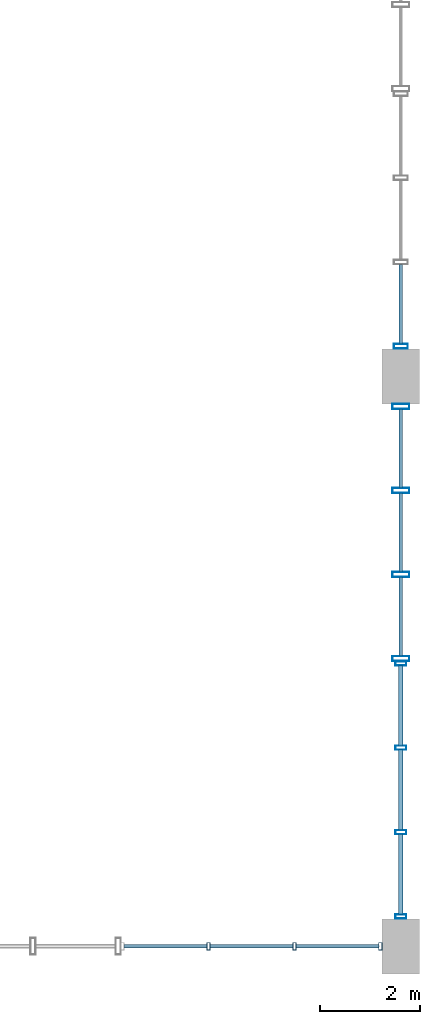
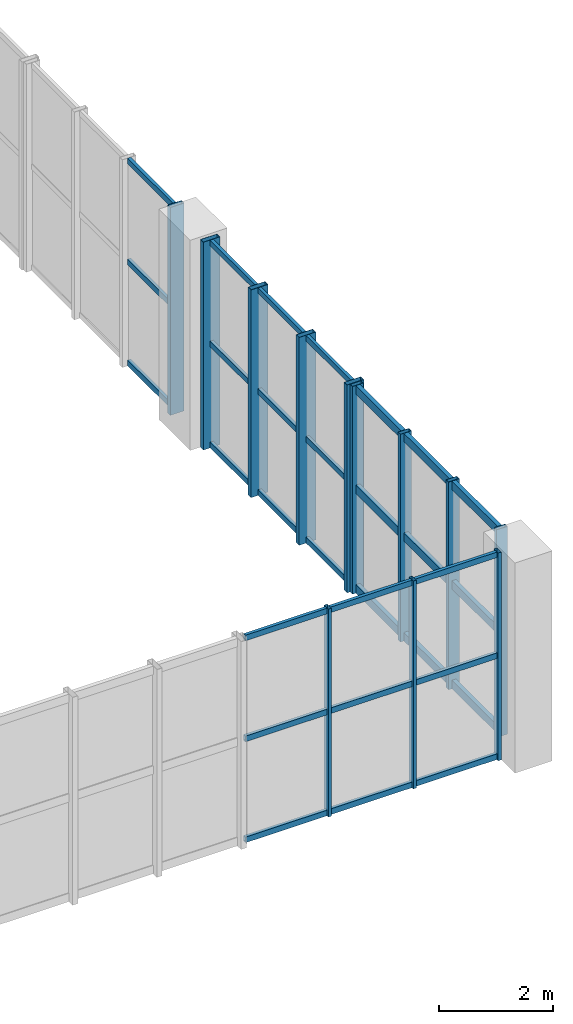
# One storey, part 43 of 80: 42 members, 4 elements without a shape of their own.
"""IFC4 building model written with IfcOpenShell, lengths in metres."""

from ifc_helpers import new_model, si_unit, direction, frame, origin, origin_2d, place, context, subcontext, project, spatial, hollow_rectangle, extrude, material, layer, layer_set, material_profile, profile_set, type_object, element, aggregate, save


model = new_model("IFC4")

# Units and contexts
model_context = context("Model", 3, precision=1e-05, world=origin(), true_north=direction((0.0, 1.0)))
body_context = subcontext(model_context, "Body", "Model", "MODEL_VIEW")
ifc_project = project(units=[si_unit("LENGTHUNIT", "METRE"), si_unit("AREAUNIT", "SQUARE_METRE"), si_unit("VOLUMEUNIT", "CUBIC_METRE"), si_unit("PLANEANGLEUNIT", "RADIAN"), si_unit("MASSUNIT", "GRAM", prefix="KILO"), si_unit("POWERUNIT", "WATT"), si_unit("THERMODYNAMICTEMPERATUREUNIT", "KELVIN")], contexts=[model_context])

# Site, building, storey
site_placement = place(None, origin())
site = spatial("IfcSite", under=ifc_project, at=site_placement, CompositionType="ELEMENT")
building_placement = place(site_placement, origin())
building = spatial("IfcBuilding", under=site, at=building_placement, Name="Kelmbourne Parkland Aquatics Centre", CompositionType="ELEMENT")
storey_placement = place(building_placement, frame((0.0, 0.0, 10.199951171875)))
storey = spatial("IfcBuildingStorey", under=building, at=storey_placement, Name="L02", CompositionType="ELEMENT", Elevation=10.199951171875)

# Curtain wall, members
ifc_material = material(Name="Thermally broken anodised aluminium framing", Category="aluminium")
ifc_layer_1 = layer(ifc_material, 0.179931640625)
ifc_layer_set_1 = layer_set([ifc_layer_1], Name="Thermally broken anodised aluminium framing")
curtain_wall_type_1 = type_object("IfcCurtainWallType", Name="CW-24", PredefinedType="NOTDEFINED", material=ifc_layer_set_1)
curtain_wall_1_placement = place(storey_placement, origin())
curtain_wall_1 = element("IfcCurtainWall", 1, at=curtain_wall_1_placement, inside=storey, type_object=curtain_wall_type_1, Name="Wave-hall clerestory curtain wall CW-L02-120", PredefinedType="NOTDEFINED")
ifc_material_profile_1 = material_profile(ifc_material, hollow_rectangle(XDim=0.06494140625, YDim=0.14990234375, WallThickness=0.00390625, at=origin_2d()), Name="CW-M 65x150")
ifc_profile_set_1 = profile_set([ifc_material_profile_1], Name="Thermally broken anodised aluminium framing")
member_type_1 = type_object("IfcMemberType", Name="MB-MUL-1", PredefinedType="MULLION", material=ifc_profile_set_1)
member_1_placement = place(storey_placement, frame((171.351806640625, 0.800048828125, 0.0), z_axis=(0.0, 0.0, 1.0), x_axis=(1.0, 0.0, 0.0)))
member_1 = element("IfcMember", 2, at=member_1_placement, type_object=member_type_1, Name="CW-L02-120 mullion 1", PredefinedType="MULLION", context=body_context, shape_type="SweptSolid", body=[
    extrude(hollow_rectangle(XDim=0.06494140625, YDim=0.14990234375, WallThickness=0.00390625, at=origin_2d()), origin(), (0.0, 0.0, 1.0), 4.449951171875),
])
member_2_placement = place(storey_placement, frame((173.0712890625, 0.800048828125, 0.0), z_axis=(0.0, 0.0, 1.0), x_axis=(1.0, 0.0, 0.0)))
member_2 = element("IfcMember", 3, at=member_2_placement, type_object=member_type_1, Name="CW-L02-120 mullion 2", PredefinedType="MULLION", context=body_context, shape_type="SweptSolid", body=[
    extrude(hollow_rectangle(XDim=0.06494140625, YDim=0.14990234375, WallThickness=0.00390625, at=origin_2d()), origin(), (0.0, 0.0, 1.0), 4.449951171875),
])
member_3_placement = place(storey_placement, frame((174.79052734375, 0.800048828125, 0.0), z_axis=(0.0, 0.0, 1.0), x_axis=(1.0, 0.0, 0.0)))
member_3 = element("IfcMember", 4, at=member_3_placement, type_object=member_type_1, Name="CW-L02-120 mullion 3", PredefinedType="MULLION", context=body_context, shape_type="SweptSolid", body=[
    extrude(hollow_rectangle(XDim=0.06494140625, YDim=0.14990234375, WallThickness=0.00390625, at=origin_2d()), origin(), (0.0, 0.0, 1.0), 4.449951171875),
])

ifc_layer_2 = layer(ifc_material, 0.179931640625)
ifc_layer_set_2 = layer_set([ifc_layer_2], Name="Thermally broken anodised aluminium framing")
curtain_wall_type_2 = type_object("IfcCurtainWallType", Name="CW-02", PredefinedType="NOTDEFINED", material=ifc_layer_set_2)
curtain_wall_2_placement = place(storey_placement, origin())
curtain_wall_2 = element("IfcCurtainWall", 5, at=curtain_wall_2_placement, inside=storey, type_object=curtain_wall_type_2, Name="Wave-hall clerestory curtain wall CW-L02-002", PredefinedType="NOTDEFINED")
ifc_material_profile_2 = material_profile(ifc_material, hollow_rectangle(XDim=0.0849609375, YDim=0.219970703125, WallThickness=0.0048828125, at=origin_2d()), Name="CW-M 85x220")
ifc_profile_set_2 = profile_set([ifc_material_profile_2], Name="Thermally broken anodised aluminium framing")
member_type_2 = type_object("IfcMemberType", Name="MB-MUL-3", PredefinedType="MULLION", material=ifc_profile_set_2)
member_4_placement = place(storey_placement, frame((175.199951171875, 1.39453125, 0.0), z_axis=(0.0, 0.0, 1.0), x_axis=(0.0, 1.0, 0.0)))
member_4 = element("IfcMember", 6, at=member_4_placement, type_object=member_type_2, Name="CW-L02-002 mullion 0", PredefinedType="MULLION", context=body_context, shape_type="SweptSolid", body=[
    extrude(hollow_rectangle(XDim=0.0849609375, YDim=0.219970703125, WallThickness=0.0048828125, at=origin_2d()), origin(), (0.0, 0.0, 1.0), 4.449951171875),
])
member_5_placement = place(storey_placement, frame((175.199951171875, 3.082275390625, 0.0), z_axis=(0.0, 0.0, 1.0), x_axis=(0.0, 1.0, 0.0)))
member_5 = element("IfcMember", 7, at=member_5_placement, type_object=member_type_2, Name="CW-L02-002 mullion 1", PredefinedType="MULLION", context=body_context, shape_type="SweptSolid", body=[
    extrude(hollow_rectangle(XDim=0.0849609375, YDim=0.219970703125, WallThickness=0.0048828125, at=origin_2d()), origin(), (0.0, 0.0, 1.0), 4.449951171875),
])
member_6_placement = place(storey_placement, frame((175.199951171875, 4.769775390625, 0.0), z_axis=(0.0, 0.0, 1.0), x_axis=(0.0, 1.0, 0.0)))
member_6 = element("IfcMember", 8, at=member_6_placement, type_object=member_type_2, Name="CW-L02-002 mullion 2", PredefinedType="MULLION", context=body_context, shape_type="SweptSolid", body=[
    extrude(hollow_rectangle(XDim=0.0849609375, YDim=0.219970703125, WallThickness=0.0048828125, at=origin_2d()), origin(), (0.0, 0.0, 1.0), 4.449951171875),
])
member_7_placement = place(storey_placement, frame((175.199951171875, 6.45751953125, 0.0), z_axis=(0.0, 0.0, 1.0), x_axis=(0.0, 1.0, 0.0)))
member_7 = element("IfcMember", 9, at=member_7_placement, type_object=member_type_2, Name="CW-L02-002 mullion 3", PredefinedType="MULLION", context=body_context, shape_type="SweptSolid", body=[
    extrude(hollow_rectangle(XDim=0.0849609375, YDim=0.219970703125, WallThickness=0.0048828125, at=origin_2d()), origin(), (0.0, 0.0, 1.0), 4.449951171875),
])

# Curtain wall, member
ifc_layer_3 = layer(ifc_material, 0.179931640625)
ifc_layer_set_3 = layer_set([ifc_layer_3], Name="Thermally broken anodised aluminium framing")
curtain_wall_type_3 = type_object("IfcCurtainWallType", Name="CW-18", PredefinedType="NOTDEFINED", material=ifc_layer_set_3)
curtain_wall_3_placement = place(storey_placement, origin())
curtain_wall_3 = element("IfcCurtainWall", 10, at=curtain_wall_3_placement, inside=storey, type_object=curtain_wall_type_3, Name="Wave-hall clerestory curtain wall CW-L02-018", PredefinedType="NOTDEFINED")
ifc_material_profile_3 = material_profile(ifc_material, hollow_rectangle(XDim=0.094970703125, YDim=0.280029296875, WallThickness=0.005615234375, at=origin_2d()), Name="CW-M 95x280")
ifc_profile_set_3 = profile_set([ifc_material_profile_3], Name="Thermally broken anodised aluminium framing")
member_type_3 = type_object("IfcMemberType", Name="MB-MUL-4", PredefinedType="MULLION", material=ifc_profile_set_3)
member_8_placement = place(storey_placement, frame((175.199951171875, 12.799560546875, 0.0), z_axis=(0.0, 0.0, 1.0), x_axis=(0.0, 1.0, 0.0)))
member_8 = element("IfcMember", 11, at=member_8_placement, type_object=member_type_3, Name="CW-L02-018 mullion 0", PredefinedType="MULLION", context=body_context, shape_type="SweptSolid", body=[
    extrude(hollow_rectangle(XDim=0.094970703125, YDim=0.280029296875, WallThickness=0.005615234375, at=origin_2d()), origin(), (0.0, 0.0, 1.0), 4.449951171875),
])

# Curtain wall, members
ifc_layer_4 = layer(ifc_material, 0.179931640625)
ifc_layer_set_4 = layer_set([ifc_layer_4], Name="Thermally broken anodised aluminium framing")
curtain_wall_type_4 = type_object("IfcCurtainWallType", Name="CW-09", PredefinedType="NOTDEFINED", material=ifc_layer_set_4)
curtain_wall_4_placement = place(storey_placement, origin())
curtain_wall_4 = element("IfcCurtainWall", 12, at=curtain_wall_4_placement, inside=storey, type_object=curtain_wall_type_4, Name="Wave-hall clerestory curtain wall CW-L02-009", PredefinedType="NOTDEFINED")
ifc_material_profile_4 = material_profile(ifc_material, hollow_rectangle(XDim=0.10498046875, YDim=0.340087890625, WallThickness=0.006103515625, at=origin_2d()), Name="CW-M 105x340")
ifc_profile_set_4 = profile_set([ifc_material_profile_4], Name="Thermally broken anodised aluminium framing")
member_type_4 = type_object("IfcMemberType", Name="MB-MUL-5", PredefinedType="MULLION", material=ifc_profile_set_4)
member_9_placement = place(storey_placement, frame((175.199951171875, 6.552490234375, 0.0), z_axis=(0.0, 0.0, 1.0), x_axis=(0.0, 1.0, 0.0)))
member_9 = element("IfcMember", 13, at=member_9_placement, type_object=member_type_4, Name="CW-L02-009 mullion 0", PredefinedType="MULLION", context=body_context, shape_type="SweptSolid", body=[
    extrude(hollow_rectangle(XDim=0.10498046875, YDim=0.340087890625, WallThickness=0.006103515625, at=origin_2d()), origin(), (0.0, 0.0, 1.0), 4.449951171875),
])
member_10_placement = place(storey_placement, frame((175.199951171875, 8.2333984375, 0.0), z_axis=(0.0, 0.0, 1.0), x_axis=(0.0, 1.0, 0.0)))
member_10 = element("IfcMember", 14, at=member_10_placement, type_object=member_type_4, Name="CW-L02-009 mullion 1", PredefinedType="MULLION", context=body_context, shape_type="SweptSolid", body=[
    extrude(hollow_rectangle(XDim=0.10498046875, YDim=0.340087890625, WallThickness=0.006103515625, at=origin_2d()), origin(), (0.0, 0.0, 1.0), 4.449951171875),
])
member_11_placement = place(storey_placement, frame((175.199951171875, 9.91455078125, 0.0), z_axis=(0.0, 0.0, 1.0), x_axis=(0.0, 1.0, 0.0)))
member_11 = element("IfcMember", 15, at=member_11_placement, type_object=member_type_4, Name="CW-L02-009 mullion 2", PredefinedType="MULLION", context=body_context, shape_type="SweptSolid", body=[
    extrude(hollow_rectangle(XDim=0.10498046875, YDim=0.340087890625, WallThickness=0.006103515625, at=origin_2d()), origin(), (0.0, 0.0, 1.0), 4.449951171875),
])
member_12_placement = place(storey_placement, frame((175.199951171875, 11.595458984375, 0.0), z_axis=(0.0, 0.0, 1.0), x_axis=(0.0, 1.0, 0.0)))
member_12 = element("IfcMember", 16, at=member_12_placement, type_object=member_type_4, Name="CW-L02-009 mullion 3", PredefinedType="MULLION", context=body_context, shape_type="SweptSolid", body=[
    extrude(hollow_rectangle(XDim=0.10498046875, YDim=0.340087890625, WallThickness=0.006103515625, at=origin_2d()), origin(), (0.0, 0.0, 1.0), 4.449951171875),
])
ifc_material_profile_5 = material_profile(ifc_material, hollow_rectangle(XDim=0.06494140625, YDim=0.1201171875, WallThickness=0.00341796875, at=origin_2d()), Name="CW-T 65x120")
ifc_profile_set_5 = profile_set([ifc_material_profile_5], Name="Thermally broken anodised aluminium framing")
member_type_5 = type_object("IfcMemberType", Name="MB-TRN-1", PredefinedType="USERDEFINED", material=ifc_profile_set_5)
member_13_placement = place(storey_placement, frame((175.199951171875, 6.60107421875, 0.06298828125), z_axis=(0.0, 1.0, 0.0), x_axis=(-1.0, 0.0, 0.0)))
member_13 = element("IfcMember", 17, at=member_13_placement, type_object=member_type_5, Name="CW-L02-009 transom 0-0", ObjectType="TRANSOM", PredefinedType="USERDEFINED", context=body_context, shape_type="SweptSolid", body=[
    extrude(hollow_rectangle(XDim=0.06494140625, YDim=0.1201171875, WallThickness=0.00341796875, at=origin_2d()), origin(), (0.0, 0.0, 1.0), 1.583984375),
])
member_14_placement = place(storey_placement, frame((175.199951171875, 8.281982421875, 0.06298828125), z_axis=(0.0, 1.0, 0.0), x_axis=(-1.0, 0.0, 0.0)))
member_14 = element("IfcMember", 18, at=member_14_placement, type_object=member_type_5, Name="CW-L02-009 transom 0-1", ObjectType="TRANSOM", PredefinedType="USERDEFINED", context=body_context, shape_type="SweptSolid", body=[
    extrude(hollow_rectangle(XDim=0.06494140625, YDim=0.1201171875, WallThickness=0.00341796875, at=origin_2d()), origin(), (0.0, 0.0, 1.0), 1.583984375),
])
member_15_placement = place(storey_placement, frame((175.199951171875, 9.962890625, 0.06298828125), z_axis=(0.0, 1.0, 0.0), x_axis=(-1.0, 0.0, 0.0)))
member_15 = element("IfcMember", 19, at=member_15_placement, type_object=member_type_5, Name="CW-L02-009 transom 0-2", ObjectType="TRANSOM", PredefinedType="USERDEFINED", context=body_context, shape_type="SweptSolid", body=[
    extrude(hollow_rectangle(XDim=0.06494140625, YDim=0.1201171875, WallThickness=0.00341796875, at=origin_2d()), origin(), (0.0, 0.0, 1.0), 1.584228515625),
])
member_16_placement = place(storey_placement, frame((175.199951171875, 6.60107421875, 2.22509765625), z_axis=(0.0, 1.0, 0.0), x_axis=(-1.0, 0.0, 0.0)))
member_16 = element("IfcMember", 20, at=member_16_placement, type_object=member_type_5, Name="CW-L02-009 transom 1-0", ObjectType="TRANSOM", PredefinedType="USERDEFINED", context=body_context, shape_type="SweptSolid", body=[
    extrude(hollow_rectangle(XDim=0.06494140625, YDim=0.1201171875, WallThickness=0.00341796875, at=origin_2d()), origin(), (0.0, 0.0, 1.0), 1.583984375),
])
member_17_placement = place(storey_placement, frame((175.199951171875, 8.281982421875, 2.22509765625), z_axis=(0.0, 1.0, 0.0), x_axis=(-1.0, 0.0, 0.0)))
member_17 = element("IfcMember", 21, at=member_17_placement, type_object=member_type_5, Name="CW-L02-009 transom 1-1", ObjectType="TRANSOM", PredefinedType="USERDEFINED", context=body_context, shape_type="SweptSolid", body=[
    extrude(hollow_rectangle(XDim=0.06494140625, YDim=0.1201171875, WallThickness=0.00341796875, at=origin_2d()), origin(), (0.0, 0.0, 1.0), 1.583984375),
])
member_18_placement = place(storey_placement, frame((175.199951171875, 9.962890625, 2.22509765625), z_axis=(0.0, 1.0, 0.0), x_axis=(-1.0, 0.0, 0.0)))
member_18 = element("IfcMember", 22, at=member_18_placement, type_object=member_type_5, Name="CW-L02-009 transom 1-2", ObjectType="TRANSOM", PredefinedType="USERDEFINED", context=body_context, shape_type="SweptSolid", body=[
    extrude(hollow_rectangle(XDim=0.06494140625, YDim=0.1201171875, WallThickness=0.00341796875, at=origin_2d()), origin(), (0.0, 0.0, 1.0), 1.584228515625),
])
member_19_placement = place(storey_placement, frame((175.199951171875, 6.60107421875, 4.386962890625), z_axis=(0.0, 1.0, 0.0), x_axis=(-1.0, 0.0, 0.0)))
member_19 = element("IfcMember", 23, at=member_19_placement, type_object=member_type_5, Name="CW-L02-009 transom 2-0", ObjectType="TRANSOM", PredefinedType="USERDEFINED", context=body_context, shape_type="SweptSolid", body=[
    extrude(hollow_rectangle(XDim=0.06494140625, YDim=0.1201171875, WallThickness=0.00341796875, at=origin_2d()), origin(), (0.0, 0.0, 1.0), 1.583984375),
])
member_20_placement = place(storey_placement, frame((175.199951171875, 8.281982421875, 4.386962890625), z_axis=(0.0, 1.0, 0.0), x_axis=(-1.0, 0.0, 0.0)))
member_20 = element("IfcMember", 24, at=member_20_placement, type_object=member_type_5, Name="CW-L02-009 transom 2-1", ObjectType="TRANSOM", PredefinedType="USERDEFINED", context=body_context, shape_type="SweptSolid", body=[
    extrude(hollow_rectangle(XDim=0.06494140625, YDim=0.1201171875, WallThickness=0.00341796875, at=origin_2d()), origin(), (0.0, 0.0, 1.0), 1.583984375),
])
member_21_placement = place(storey_placement, frame((175.199951171875, 9.962890625, 4.386962890625), z_axis=(0.0, 1.0, 0.0), x_axis=(-1.0, 0.0, 0.0)))
member_21 = element("IfcMember", 25, at=member_21_placement, type_object=member_type_5, Name="CW-L02-009 transom 2-2", ObjectType="TRANSOM", PredefinedType="USERDEFINED", context=body_context, shape_type="SweptSolid", body=[
    extrude(hollow_rectangle(XDim=0.06494140625, YDim=0.1201171875, WallThickness=0.00341796875, at=origin_2d()), origin(), (0.0, 0.0, 1.0), 1.584228515625),
])
aggregate(curtain_wall_4, [member_9, member_10, member_11, member_12, member_13, member_14, member_15, member_16, member_17, member_18, member_19, member_20, member_21])

# Member
member_22_placement = place(storey_placement, frame((175.199951171875, 12.843017578125, 0.06298828125), z_axis=(0.0, 1.0, 0.0), x_axis=(-1.0, 0.0, 0.0)))
member_22 = element("IfcMember", 26, at=member_22_placement, type_object=member_type_5, Name="CW-L02-018 transom 0-0", ObjectType="TRANSOM", PredefinedType="USERDEFINED", context=body_context, shape_type="SweptSolid", body=[
    extrude(hollow_rectangle(XDim=0.06494140625, YDim=0.1201171875, WallThickness=0.00341796875, at=origin_2d()), origin(), (0.0, 0.0, 1.0), 1.59716796875),
])

member_23_placement = place(storey_placement, frame((175.199951171875, 12.843017578125, 2.22509765625), z_axis=(0.0, 1.0, 0.0), x_axis=(-1.0, 0.0, 0.0)))
member_23 = element("IfcMember", 27, at=member_23_placement, type_object=member_type_5, Name="CW-L02-018 transom 1-0", ObjectType="TRANSOM", PredefinedType="USERDEFINED", context=body_context, shape_type="SweptSolid", body=[
    extrude(hollow_rectangle(XDim=0.06494140625, YDim=0.1201171875, WallThickness=0.00341796875, at=origin_2d()), origin(), (0.0, 0.0, 1.0), 1.59716796875),
])

member_24_placement = place(storey_placement, frame((175.199951171875, 12.843017578125, 4.386962890625), z_axis=(0.0, 1.0, 0.0), x_axis=(-1.0, 0.0, 0.0)))
member_24 = element("IfcMember", 28, at=member_24_placement, type_object=member_type_5, Name="CW-L02-018 transom 2-0", ObjectType="TRANSOM", PredefinedType="USERDEFINED", context=body_context, shape_type="SweptSolid", body=[
    extrude(hollow_rectangle(XDim=0.06494140625, YDim=0.1201171875, WallThickness=0.00341796875, at=origin_2d()), origin(), (0.0, 0.0, 1.0), 1.59716796875),
])

aggregate(curtain_wall_3, [member_8, member_22, member_23, member_24])

member_25_placement = place(storey_placement, frame((169.660888671875, 0.800048828125, 0.06298828125), z_axis=(1.0, 0.0, 0.0), x_axis=(0.0, 1.0, 0.0)))
member_25 = element("IfcMember", 29, at=member_25_placement, type_object=member_type_5, Name="CW-L02-120 transom 0-0", ObjectType="TRANSOM", PredefinedType="USERDEFINED", context=body_context, shape_type="SweptSolid", body=[
    extrude(hollow_rectangle(XDim=0.06494140625, YDim=0.1201171875, WallThickness=0.00341796875, at=origin_2d()), origin(), (0.0, 0.0, 1.0), 1.662353515625),
])

member_26_placement = place(storey_placement, frame((171.38037109375, 0.800048828125, 0.06298828125), z_axis=(1.0, 0.0, 0.0), x_axis=(0.0, 1.0, 0.0)))
member_26 = element("IfcMember", 30, at=member_26_placement, type_object=member_type_5, Name="CW-L02-120 transom 0-1", ObjectType="TRANSOM", PredefinedType="USERDEFINED", context=body_context, shape_type="SweptSolid", body=[
    extrude(hollow_rectangle(XDim=0.06494140625, YDim=0.1201171875, WallThickness=0.00341796875, at=origin_2d()), origin(), (0.0, 0.0, 1.0), 1.662353515625),
])

member_27_placement = place(storey_placement, frame((173.099609375, 0.800048828125, 0.06298828125), z_axis=(1.0, 0.0, 0.0), x_axis=(0.0, 1.0, 0.0)))
member_27 = element("IfcMember", 31, at=member_27_placement, type_object=member_type_5, Name="CW-L02-120 transom 0-2", ObjectType="TRANSOM", PredefinedType="USERDEFINED", context=body_context, shape_type="SweptSolid", body=[
    extrude(hollow_rectangle(XDim=0.06494140625, YDim=0.1201171875, WallThickness=0.00341796875, at=origin_2d()), origin(), (0.0, 0.0, 1.0), 1.662353515625),
])

member_28_placement = place(storey_placement, frame((169.660888671875, 0.800048828125, 2.22509765625), z_axis=(1.0, 0.0, 0.0), x_axis=(0.0, 1.0, 0.0)))
member_28 = element("IfcMember", 32, at=member_28_placement, type_object=member_type_5, Name="CW-L02-120 transom 1-0", ObjectType="TRANSOM", PredefinedType="USERDEFINED", context=body_context, shape_type="SweptSolid", body=[
    extrude(hollow_rectangle(XDim=0.06494140625, YDim=0.1201171875, WallThickness=0.00341796875, at=origin_2d()), origin(), (0.0, 0.0, 1.0), 1.662353515625),
])

member_29_placement = place(storey_placement, frame((171.38037109375, 0.800048828125, 2.22509765625), z_axis=(1.0, 0.0, 0.0), x_axis=(0.0, 1.0, 0.0)))
member_29 = element("IfcMember", 33, at=member_29_placement, type_object=member_type_5, Name="CW-L02-120 transom 1-1", ObjectType="TRANSOM", PredefinedType="USERDEFINED", context=body_context, shape_type="SweptSolid", body=[
    extrude(hollow_rectangle(XDim=0.06494140625, YDim=0.1201171875, WallThickness=0.00341796875, at=origin_2d()), origin(), (0.0, 0.0, 1.0), 1.662353515625),
])

member_30_placement = place(storey_placement, frame((173.099609375, 0.800048828125, 2.22509765625), z_axis=(1.0, 0.0, 0.0), x_axis=(0.0, 1.0, 0.0)))
member_30 = element("IfcMember", 34, at=member_30_placement, type_object=member_type_5, Name="CW-L02-120 transom 1-2", ObjectType="TRANSOM", PredefinedType="USERDEFINED", context=body_context, shape_type="SweptSolid", body=[
    extrude(hollow_rectangle(XDim=0.06494140625, YDim=0.1201171875, WallThickness=0.00341796875, at=origin_2d()), origin(), (0.0, 0.0, 1.0), 1.662353515625),
])

member_31_placement = place(storey_placement, frame((169.660888671875, 0.800048828125, 4.386962890625), z_axis=(1.0, 0.0, 0.0), x_axis=(0.0, 1.0, 0.0)))
member_31 = element("IfcMember", 35, at=member_31_placement, type_object=member_type_5, Name="CW-L02-120 transom 2-0", ObjectType="TRANSOM", PredefinedType="USERDEFINED", context=body_context, shape_type="SweptSolid", body=[
    extrude(hollow_rectangle(XDim=0.06494140625, YDim=0.1201171875, WallThickness=0.00341796875, at=origin_2d()), origin(), (0.0, 0.0, 1.0), 1.662353515625),
])

member_32_placement = place(storey_placement, frame((171.38037109375, 0.800048828125, 4.386962890625), z_axis=(1.0, 0.0, 0.0), x_axis=(0.0, 1.0, 0.0)))
member_32 = element("IfcMember", 36, at=member_32_placement, type_object=member_type_5, Name="CW-L02-120 transom 2-1", ObjectType="TRANSOM", PredefinedType="USERDEFINED", context=body_context, shape_type="SweptSolid", body=[
    extrude(hollow_rectangle(XDim=0.06494140625, YDim=0.1201171875, WallThickness=0.00341796875, at=origin_2d()), origin(), (0.0, 0.0, 1.0), 1.662353515625),
])

member_33_placement = place(storey_placement, frame((173.099609375, 0.800048828125, 4.386962890625), z_axis=(1.0, 0.0, 0.0), x_axis=(0.0, 1.0, 0.0)))
member_33 = element("IfcMember", 37, at=member_33_placement, type_object=member_type_5, Name="CW-L02-120 transom 2-2", ObjectType="TRANSOM", PredefinedType="USERDEFINED", context=body_context, shape_type="SweptSolid", body=[
    extrude(hollow_rectangle(XDim=0.06494140625, YDim=0.1201171875, WallThickness=0.00341796875, at=origin_2d()), origin(), (0.0, 0.0, 1.0), 1.662353515625),
])

aggregate(curtain_wall_1, [member_1, member_2, member_3, member_25, member_26, member_27, member_28, member_29, member_30, member_31, member_32, member_33])

ifc_material_profile_6 = material_profile(ifc_material, hollow_rectangle(XDim=0.0849609375, YDim=0.179931640625, WallThickness=0.00439453125, at=origin_2d()), Name="CW-T 85x180")
ifc_profile_set_6 = profile_set([ifc_material_profile_6], Name="Thermally broken anodised aluminium framing")
member_type_6 = type_object("IfcMemberType", Name="MB-TRN-3", PredefinedType="USERDEFINED", material=ifc_profile_set_6)
member_34_placement = place(storey_placement, frame((175.199951171875, 1.43310546875, 0.093017578125), z_axis=(0.0, 1.0, 0.0), x_axis=(-1.0, 0.0, 0.0)))
member_34 = element("IfcMember", 38, at=member_34_placement, type_object=member_type_6, Name="CW-L02-002 transom 0-0", ObjectType="TRANSOM", PredefinedType="USERDEFINED", context=body_context, shape_type="SweptSolid", body=[
    extrude(hollow_rectangle(XDim=0.0849609375, YDim=0.179931640625, WallThickness=0.00439453125, at=origin_2d()), origin(), (0.0, 0.0, 1.0), 1.610595703125),
])

member_35_placement = place(storey_placement, frame((175.199951171875, 3.12060546875, 0.093017578125), z_axis=(0.0, 1.0, 0.0), x_axis=(-1.0, 0.0, 0.0)))
member_35 = element("IfcMember", 39, at=member_35_placement, type_object=member_type_6, Name="CW-L02-002 transom 0-1", ObjectType="TRANSOM", PredefinedType="USERDEFINED", context=body_context, shape_type="SweptSolid", body=[
    extrude(hollow_rectangle(XDim=0.0849609375, YDim=0.179931640625, WallThickness=0.00439453125, at=origin_2d()), origin(), (0.0, 0.0, 1.0), 1.610595703125),
])

member_36_placement = place(storey_placement, frame((175.199951171875, 4.808349609375, 0.093017578125), z_axis=(0.0, 1.0, 0.0), x_axis=(-1.0, 0.0, 0.0)))
member_36 = element("IfcMember", 40, at=member_36_placement, type_object=member_type_6, Name="CW-L02-002 transom 0-2", ObjectType="TRANSOM", PredefinedType="USERDEFINED", context=body_context, shape_type="SweptSolid", body=[
    extrude(hollow_rectangle(XDim=0.0849609375, YDim=0.179931640625, WallThickness=0.00439453125, at=origin_2d()), origin(), (0.0, 0.0, 1.0), 1.610595703125),
])

member_37_placement = place(storey_placement, frame((175.199951171875, 1.43310546875, 2.22509765625), z_axis=(0.0, 1.0, 0.0), x_axis=(-1.0, 0.0, 0.0)))
member_37 = element("IfcMember", 41, at=member_37_placement, type_object=member_type_6, Name="CW-L02-002 transom 1-0", ObjectType="TRANSOM", PredefinedType="USERDEFINED", context=body_context, shape_type="SweptSolid", body=[
    extrude(hollow_rectangle(XDim=0.0849609375, YDim=0.179931640625, WallThickness=0.00439453125, at=origin_2d()), origin(), (0.0, 0.0, 1.0), 1.610595703125),
])

member_38_placement = place(storey_placement, frame((175.199951171875, 3.12060546875, 2.22509765625), z_axis=(0.0, 1.0, 0.0), x_axis=(-1.0, 0.0, 0.0)))
member_38 = element("IfcMember", 42, at=member_38_placement, type_object=member_type_6, Name="CW-L02-002 transom 1-1", ObjectType="TRANSOM", PredefinedType="USERDEFINED", context=body_context, shape_type="SweptSolid", body=[
    extrude(hollow_rectangle(XDim=0.0849609375, YDim=0.179931640625, WallThickness=0.00439453125, at=origin_2d()), origin(), (0.0, 0.0, 1.0), 1.610595703125),
])

member_39_placement = place(storey_placement, frame((175.199951171875, 4.808349609375, 2.22509765625), z_axis=(0.0, 1.0, 0.0), x_axis=(-1.0, 0.0, 0.0)))
member_39 = element("IfcMember", 43, at=member_39_placement, type_object=member_type_6, Name="CW-L02-002 transom 1-2", ObjectType="TRANSOM", PredefinedType="USERDEFINED", context=body_context, shape_type="SweptSolid", body=[
    extrude(hollow_rectangle(XDim=0.0849609375, YDim=0.179931640625, WallThickness=0.00439453125, at=origin_2d()), origin(), (0.0, 0.0, 1.0), 1.610595703125),
])

member_40_placement = place(storey_placement, frame((175.199951171875, 1.43310546875, 4.35693359375), z_axis=(0.0, 1.0, 0.0), x_axis=(-1.0, 0.0, 0.0)))
member_40 = element("IfcMember", 44, at=member_40_placement, type_object=member_type_6, Name="CW-L02-002 transom 2-0", ObjectType="TRANSOM", PredefinedType="USERDEFINED", context=body_context, shape_type="SweptSolid", body=[
    extrude(hollow_rectangle(XDim=0.0849609375, YDim=0.179931640625, WallThickness=0.00439453125, at=origin_2d()), origin(), (0.0, 0.0, 1.0), 1.610595703125),
])

member_41_placement = place(storey_placement, frame((175.199951171875, 3.12060546875, 4.35693359375), z_axis=(0.0, 1.0, 0.0), x_axis=(-1.0, 0.0, 0.0)))
member_41 = element("IfcMember", 45, at=member_41_placement, type_object=member_type_6, Name="CW-L02-002 transom 2-1", ObjectType="TRANSOM", PredefinedType="USERDEFINED", context=body_context, shape_type="SweptSolid", body=[
    extrude(hollow_rectangle(XDim=0.0849609375, YDim=0.179931640625, WallThickness=0.00439453125, at=origin_2d()), origin(), (0.0, 0.0, 1.0), 1.610595703125),
])

member_42_placement = place(storey_placement, frame((175.199951171875, 4.808349609375, 4.35693359375), z_axis=(0.0, 1.0, 0.0), x_axis=(-1.0, 0.0, 0.0)))
member_42 = element("IfcMember", 46, at=member_42_placement, type_object=member_type_6, Name="CW-L02-002 transom 2-2", ObjectType="TRANSOM", PredefinedType="USERDEFINED", context=body_context, shape_type="SweptSolid", body=[
    extrude(hollow_rectangle(XDim=0.0849609375, YDim=0.179931640625, WallThickness=0.00439453125, at=origin_2d()), origin(), (0.0, 0.0, 1.0), 1.610595703125),
])

aggregate(curtain_wall_2, [member_4, member_5, member_6, member_7, member_34, member_35, member_36, member_37, member_38, member_39, member_40, member_41, member_42])

save(model, "model.ifc")
